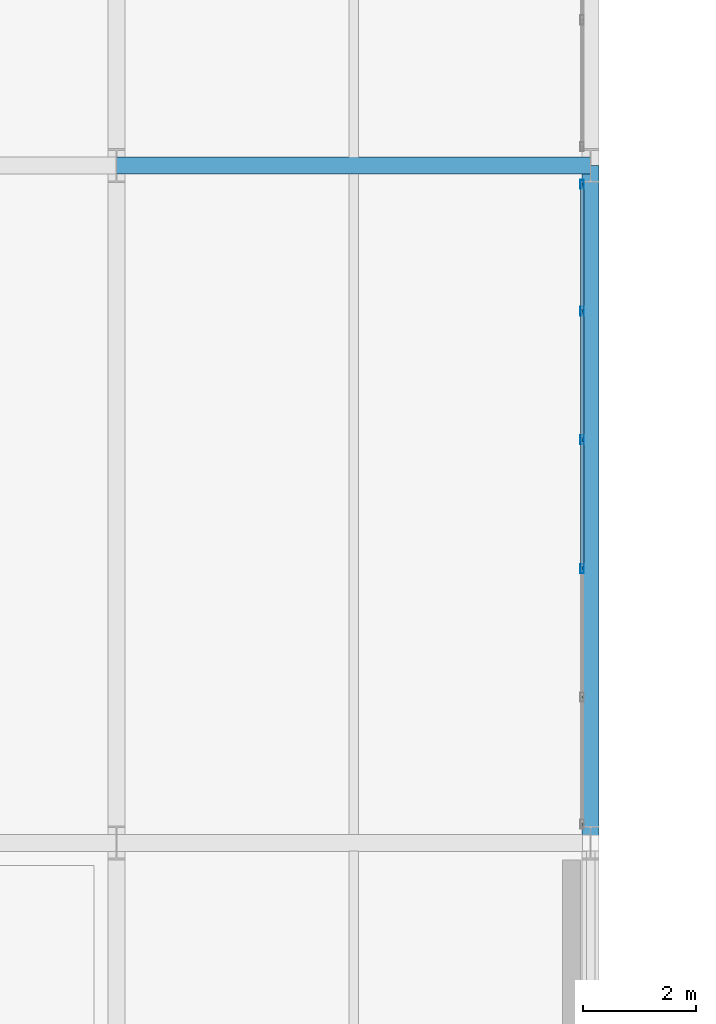
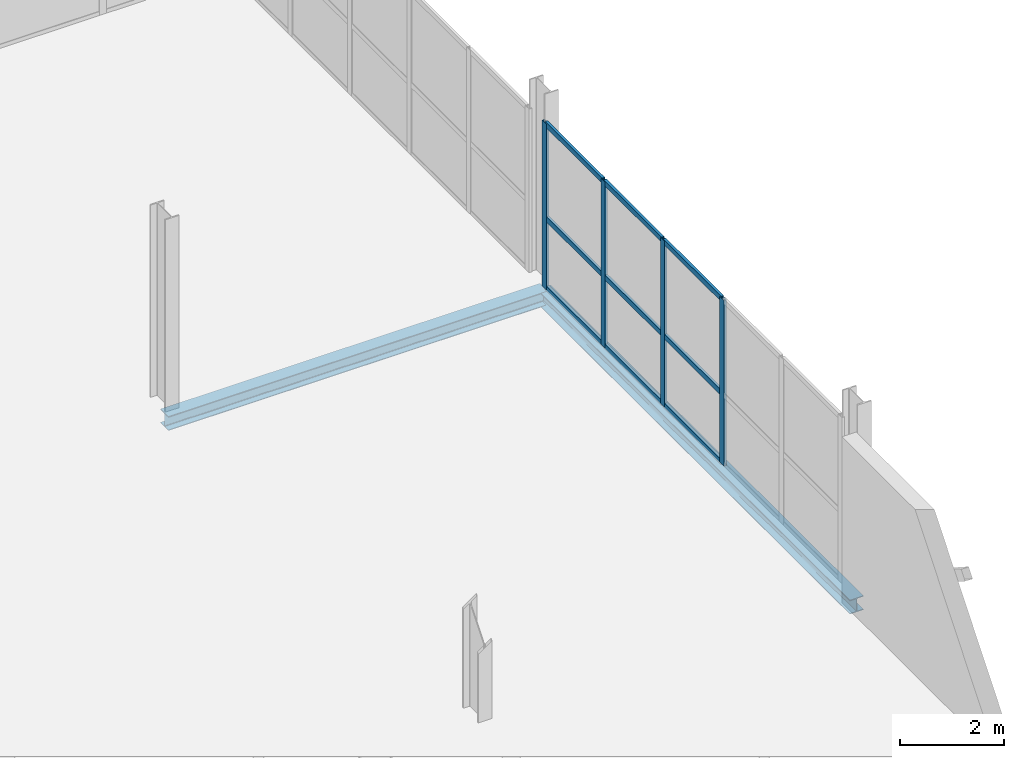
# One storey, part 63 of 130: 13 members, 2 beams, 1 element without a shape of its own.
"""IFC4 building model written with IfcOpenShell, lengths in metres."""

from ifc_helpers import new_model, si_unit, direction, frame, origin, origin_2d, place, context, subcontext, project, spatial, hollow_rectangle, i_section, extrude, material, material_profile, profile_set, type_object, element, aggregate, save


model = new_model("IFC4")

# Units and contexts
model_context = context("Model", 3, precision=1e-05, world=origin(), true_north=direction((0.0, 1.0)))
body_context = subcontext(model_context, "Body", "Model", "MODEL_VIEW")
ifc_project = project(units=[si_unit("LENGTHUNIT", "METRE"), si_unit("AREAUNIT", "SQUARE_METRE"), si_unit("VOLUMEUNIT", "CUBIC_METRE"), si_unit("PLANEANGLEUNIT", "RADIAN"), si_unit("MASSUNIT", "GRAM", prefix="KILO")], contexts=[model_context])

# Site, building, storey
site_placement = place(None, origin())
site = spatial("IfcSite", under=ifc_project, at=site_placement, CompositionType="ELEMENT")
building_placement = place(site_placement, origin())
building = spatial("IfcBuilding", under=site, at=building_placement, Name="Veltarok Museum of Natural Sciences", CompositionType="ELEMENT")
storey_placement = place(building_placement, frame((0.0, 0.0, 12.89990234375)))
storey = spatial("IfcBuildingStorey", under=building, at=storey_placement, Name="L02", CompositionType="ELEMENT", Elevation=12.89990234375)

# Curtain wall, members
ifc_material_1 = material(Name="Low-iron triple insulated glass", Category="glass")
curtain_wall_type = type_object("IfcCurtainWallType", Name="Curtain Wall System CW-V2E-L02-0-1140x388 (CW-V2E L02 1140x388cm)", PredefinedType="NOTDEFINED", material=ifc_material_1)
curtain_wall_placement = place(storey_placement, origin())
curtain_wall = element("IfcCurtainWall", 1, at=curtain_wall_placement, inside=storey, type_object=curtain_wall_type, Name="Curtain Wall CW-V2E-L02-0-1140x388 CW-0132", PredefinedType="NOTDEFINED")
ifc_material_2 = material(Name="Thermally broken anodised aluminium", Category="aluminium")
ifc_material_profile_1 = material_profile(ifc_material_2, hollow_rectangle(XDim=0.06005859375, YDim=0.1201171875, WallThickness=0.0048828125, at=origin_2d()), Name="CW TRANSOM 60x120x5")
ifc_profile_set_1 = profile_set([ifc_material_profile_1], Name="Thermally broken anodised aluminium")
member_type_1 = type_object("IfcMemberType", Name="Curtain Wall Horizontal Transom 60x120x5", PredefinedType="USERDEFINED", material=ifc_profile_set_1)
member_1_placement = place(storey_placement, frame((98.64990234375, 52.889892578125, 0.028076171875), z_axis=(0.0, 1.0, 0.0), x_axis=(-1.0, 0.0, 0.0)))
member_1 = element("IfcMember", 2, at=member_1_placement, type_object=member_type_1, Name="CW-V2E-L02-0-1140x388 transom 3.1", ObjectType="TRANSOM", PredefinedType="USERDEFINED", context=body_context, shape_type="SweptSolid", body=[
    extrude(hollow_rectangle(XDim=0.06005859375, YDim=0.1201171875, WallThickness=0.0048828125, at=origin_2d()), origin(), (0.0, 0.0, 1.0), 2.22021484375),
])
member_2_placement = place(storey_placement, frame((98.64990234375, 52.889892578125, 1.648193359375), z_axis=(0.0, 1.0, 0.0), x_axis=(-1.0, 0.0, 0.0)))
member_2 = element("IfcMember", 3, at=member_2_placement, type_object=member_type_1, Name="CW-V2E-L02-0-1140x388 transom 3.2", ObjectType="TRANSOM", PredefinedType="USERDEFINED", context=body_context, shape_type="SweptSolid", body=[
    extrude(hollow_rectangle(XDim=0.06005859375, YDim=0.1201171875, WallThickness=0.0048828125, at=origin_2d()), origin(), (0.0, 0.0, 1.0), 2.22021484375),
])
member_3_placement = place(storey_placement, frame((98.64990234375, 52.889892578125, 3.85009765625), z_axis=(0.0, 1.0, 0.0), x_axis=(-1.0, 0.0, 0.0)))
member_3 = element("IfcMember", 4, at=member_3_placement, type_object=member_type_1, Name="CW-V2E-L02-0-1140x388 transom 3.3", ObjectType="TRANSOM", PredefinedType="USERDEFINED", context=body_context, shape_type="SweptSolid", body=[
    extrude(hollow_rectangle(XDim=0.06005859375, YDim=0.1201171875, WallThickness=0.0048828125, at=origin_2d()), origin(), (0.0, 0.0, 1.0), 2.22021484375),
])
member_4_placement = place(storey_placement, frame((98.64990234375, 55.169921875, 0.028076171875), z_axis=(0.0, 1.0, 0.0), x_axis=(-1.0, 0.0, 0.0)))
member_4 = element("IfcMember", 5, at=member_4_placement, type_object=member_type_1, Name="CW-V2E-L02-0-1140x388 transom 4.1", ObjectType="TRANSOM", PredefinedType="USERDEFINED", context=body_context, shape_type="SweptSolid", body=[
    extrude(hollow_rectangle(XDim=0.06005859375, YDim=0.1201171875, WallThickness=0.0048828125, at=origin_2d()), origin(), (0.0, 0.0, 1.0), 2.219970703125),
])
member_5_placement = place(storey_placement, frame((98.64990234375, 55.169921875, 1.648193359375), z_axis=(0.0, 1.0, 0.0), x_axis=(-1.0, 0.0, 0.0)))
member_5 = element("IfcMember", 6, at=member_5_placement, type_object=member_type_1, Name="CW-V2E-L02-0-1140x388 transom 4.2", ObjectType="TRANSOM", PredefinedType="USERDEFINED", context=body_context, shape_type="SweptSolid", body=[
    extrude(hollow_rectangle(XDim=0.06005859375, YDim=0.1201171875, WallThickness=0.0048828125, at=origin_2d()), origin(), (0.0, 0.0, 1.0), 2.219970703125),
])
member_6_placement = place(storey_placement, frame((98.64990234375, 55.169921875, 3.85009765625), z_axis=(0.0, 1.0, 0.0), x_axis=(-1.0, 0.0, 0.0)))
member_6 = element("IfcMember", 7, at=member_6_placement, type_object=member_type_1, Name="CW-V2E-L02-0-1140x388 transom 4.3", ObjectType="TRANSOM", PredefinedType="USERDEFINED", context=body_context, shape_type="SweptSolid", body=[
    extrude(hollow_rectangle(XDim=0.06005859375, YDim=0.1201171875, WallThickness=0.0048828125, at=origin_2d()), origin(), (0.0, 0.0, 1.0), 2.219970703125),
])
member_7_placement = place(storey_placement, frame((98.64990234375, 57.449951171875, 0.028076171875), z_axis=(0.0, 1.0, 0.0), x_axis=(-1.0, 0.0, 0.0)))
member_7 = element("IfcMember", 8, at=member_7_placement, type_object=member_type_1, Name="CW-V2E-L02-0-1140x388 transom 5.1", ObjectType="TRANSOM", PredefinedType="USERDEFINED", context=body_context, shape_type="SweptSolid", body=[
    extrude(hollow_rectangle(XDim=0.06005859375, YDim=0.1201171875, WallThickness=0.0048828125, at=origin_2d()), origin(), (0.0, 0.0, 1.0), 2.18994140625),
])
member_8_placement = place(storey_placement, frame((98.64990234375, 57.449951171875, 1.648193359375), z_axis=(0.0, 1.0, 0.0), x_axis=(-1.0, 0.0, 0.0)))
member_8 = element("IfcMember", 9, at=member_8_placement, type_object=member_type_1, Name="CW-V2E-L02-0-1140x388 transom 5.2", ObjectType="TRANSOM", PredefinedType="USERDEFINED", context=body_context, shape_type="SweptSolid", body=[
    extrude(hollow_rectangle(XDim=0.06005859375, YDim=0.1201171875, WallThickness=0.0048828125, at=origin_2d()), origin(), (0.0, 0.0, 1.0), 2.18994140625),
])
member_9_placement = place(storey_placement, frame((98.64990234375, 57.449951171875, 3.85009765625), z_axis=(0.0, 1.0, 0.0), x_axis=(-1.0, 0.0, 0.0)))
member_9 = element("IfcMember", 10, at=member_9_placement, type_object=member_type_1, Name="CW-V2E-L02-0-1140x388 transom 5.3", ObjectType="TRANSOM", PredefinedType="USERDEFINED", context=body_context, shape_type="SweptSolid", body=[
    extrude(hollow_rectangle(XDim=0.06005859375, YDim=0.1201171875, WallThickness=0.0048828125, at=origin_2d()), origin(), (0.0, 0.0, 1.0), 2.18994140625),
])
ifc_material_profile_2 = material_profile(ifc_material_2, hollow_rectangle(XDim=0.06005859375, YDim=0.159912109375, WallThickness=0.0048828125, at=origin_2d()), Name="CW MULLION 60x160x5")
ifc_profile_set_2 = profile_set([ifc_material_profile_2], Name="Thermally broken anodised aluminium")
member_type_2 = type_object("IfcMemberType", Name="Curtain Wall Vertical Mullion 60x160x5", PredefinedType="MULLION", material=ifc_profile_set_2)
member_10_placement = place(storey_placement, frame((98.64990234375, 52.860107421875, -0.001953125), z_axis=(0.0, 0.0, 1.0), x_axis=(-1.0, 0.0, 0.0)))
member_10 = element("IfcMember", 11, at=member_10_placement, type_object=member_type_2, Name="CW-V2E-L02-0-1140x388 mullion 3", PredefinedType="MULLION", context=body_context, shape_type="SweptSolid", body=[
    extrude(hollow_rectangle(XDim=0.06005859375, YDim=0.159912109375, WallThickness=0.0048828125, at=origin_2d()), origin(), (0.0, 0.0, 1.0), 3.882080078125),
])
member_11_placement = place(storey_placement, frame((98.64990234375, 55.139892578125, -0.001953125), z_axis=(0.0, 0.0, 1.0), x_axis=(-1.0, 0.0, 0.0)))
member_11 = element("IfcMember", 12, at=member_11_placement, type_object=member_type_2, Name="CW-V2E-L02-0-1140x388 mullion 4", PredefinedType="MULLION", context=body_context, shape_type="SweptSolid", body=[
    extrude(hollow_rectangle(XDim=0.06005859375, YDim=0.159912109375, WallThickness=0.0048828125, at=origin_2d()), origin(), (0.0, 0.0, 1.0), 3.882080078125),
])
member_12_placement = place(storey_placement, frame((98.64990234375, 57.419921875, -0.001953125), z_axis=(0.0, 0.0, 1.0), x_axis=(-1.0, 0.0, 0.0)))
member_12 = element("IfcMember", 13, at=member_12_placement, type_object=member_type_2, Name="CW-V2E-L02-0-1140x388 mullion 5", PredefinedType="MULLION", context=body_context, shape_type="SweptSolid", body=[
    extrude(hollow_rectangle(XDim=0.06005859375, YDim=0.159912109375, WallThickness=0.0048828125, at=origin_2d()), origin(), (0.0, 0.0, 1.0), 3.882080078125),
])
member_13_placement = place(storey_placement, frame((98.64990234375, 59.669921875, -0.001953125), z_axis=(0.0, 0.0, 1.0), x_axis=(-1.0, 0.0, 0.0)))
member_13 = element("IfcMember", 14, at=member_13_placement, type_object=member_type_2, Name="CW-V2E-L02-0-1140x388 mullion 6", PredefinedType="MULLION", context=body_context, shape_type="SweptSolid", body=[
    extrude(hollow_rectangle(XDim=0.06005859375, YDim=0.159912109375, WallThickness=0.0048828125, at=origin_2d()), origin(), (0.0, 0.0, 1.0), 3.882080078125),
])
aggregate(curtain_wall, [member_10, member_11, member_12, member_13, member_1, member_2, member_3, member_4, member_5, member_6, member_7, member_8, member_9])

# Beams
ifc_material_3 = material(Name="Steel S355J2", Category="steel")
ifc_material_profile_3 = material_profile(ifc_material_3, i_section(OverallWidth=0.300048828125, OverallDepth=0.330078125, WebThickness=0.009521484375, FlangeThickness=0.0166015625, FilletRadius=0.027099609375, at=origin_2d()), Name="HEA 340")
ifc_profile_set_3 = profile_set([ifc_material_profile_3], Name="Steel S355J2")
beam_type = type_object("IfcBeamType", Name="Perimeter Upper Spandrel HEA 340", PredefinedType="SPANDREL", material=ifc_profile_set_3)
beam_1_placement = place(storey_placement, frame((90.39990234375, 60.0, -0.414794921875), z_axis=(1.0, 0.0, 0.0), x_axis=(0.0, 1.0, 0.0)))
element("IfcBeam", 15, at=beam_1_placement, inside=storey, type_object=beam_type, Name="Beam BM-SP05 L02 11-12/G", PredefinedType="SPANDREL", context=body_context, shape_type="SweptSolid", body=[
    extrude(i_section(OverallWidth=0.300048828125, OverallDepth=0.330078125, WebThickness=0.009521484375, FlangeThickness=0.0166015625, FilletRadius=0.027099609375, at=origin_2d()), origin(), (0.0, 0.0, 1.0), 8.400146484375),
])
beam_2_placement = place(storey_placement, frame((98.800048828125, 48.0, -0.414794921875), z_axis=(0.0, 1.0, 0.0), x_axis=(-1.0, 0.0, 0.0)))
element("IfcBeam", 16, at=beam_2_placement, inside=storey, type_object=beam_type, Name="Beam BM-SP05 L02 12/F-G", PredefinedType="SPANDREL", context=body_context, shape_type="SweptSolid", body=[
    extrude(i_section(OverallWidth=0.300048828125, OverallDepth=0.330078125, WebThickness=0.009521484375, FlangeThickness=0.0166015625, FilletRadius=0.027099609375, at=origin_2d()), origin(), (0.0, 0.0, 1.0), 12.0),
])

save(model, "model.ifc")
